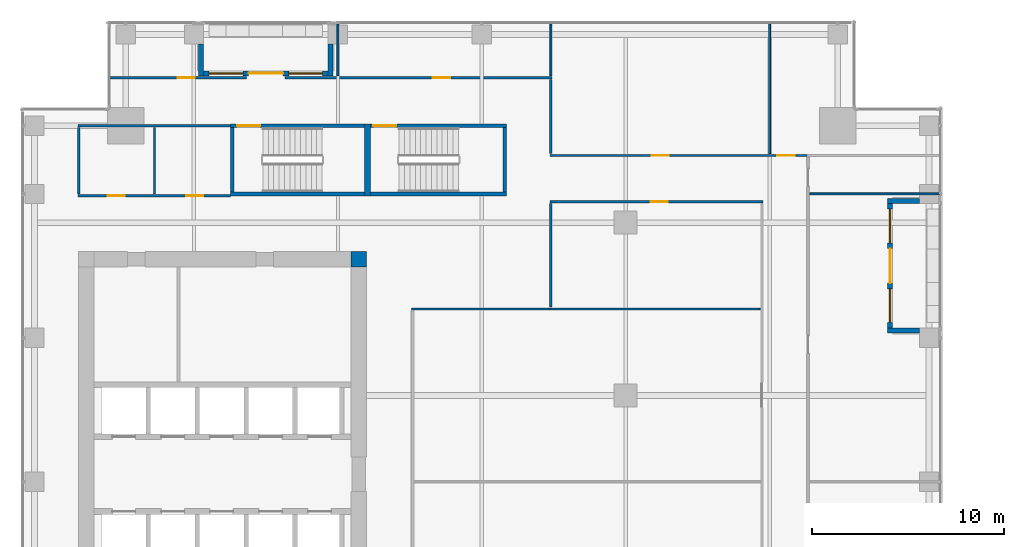
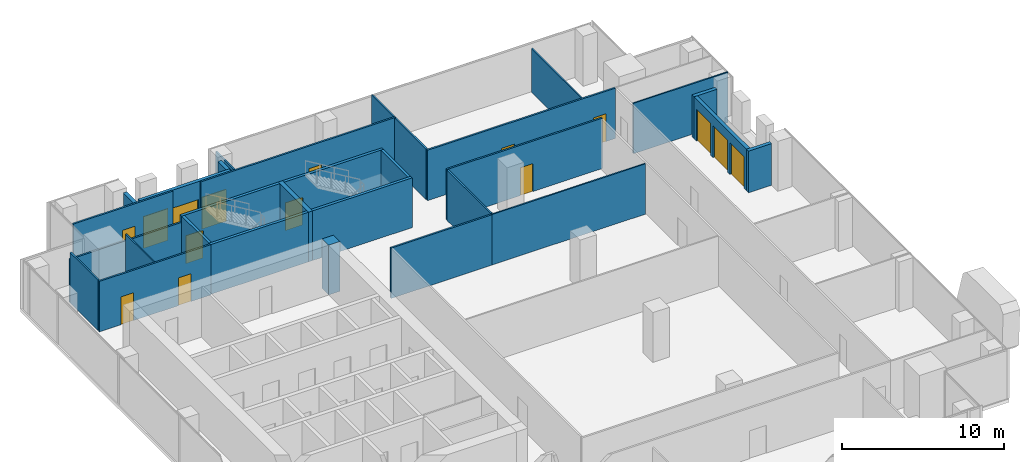
# One storey, part 34 of 38: 30 walls, 11 doors, 4 windows, 15 openings.
"""IFC4 building model written with IfcOpenShell, lengths in metres."""

import ifcopenshell
import ifcopenshell.guid

model = None  # the IFC model being written
_history = None  # IfcOwnerHistory: only IFC2X3 demands one
_inside = {}  # id of a spatial element -> (the spatial element, [elements in it])
_under = {}  # id of a project, library or spatial element -> (it, [spatial elements below it])
_declared = {}  # id of a project -> (the project, [libraries it declares])
_typed = {}  # id of a type object -> (the type object, [elements of that type])
_made_of = {}  # id of a material, layer set ... -> (it, [elements and type objects made of it])


def new_model(schema):
    """Start an empty IFC model of exactly this schema.

    Asked for "IFC4X3", IfcOpenShell would pick the latest addendum, in which some entities
    have other attributes; the version numbers below select the first issue.
    IFC2X3 requires an IfcOwnerHistory on every rooted entity: one is made here for all.
    """
    global model, _history
    if schema == "IFC4X3":
        model = ifcopenshell.file(schema_version=(4, 3, 0, 0))
    else:
        model = ifcopenshell.file(schema=schema)
    _inside.clear()
    _under.clear()
    _declared.clear()
    _typed.clear()
    _made_of.clear()
    _history = None
    if model.schema == "IFC2X3":
        org = make("IfcOrganization", Name="unknown")
        user = make(
            "IfcPersonAndOrganization",
            ThePerson=make("IfcPerson", FamilyName="unknown"),
            TheOrganization=org,
        )
        app = make(
            "IfcApplication",
            ApplicationDeveloper=org,
            Version="unknown",
            ApplicationFullName="unknown",
            ApplicationIdentifier="unknown",
        )
        _history = make(
            "IfcOwnerHistory",
            OwningUser=user,
            OwningApplication=app,
            ChangeAction="ADDED",
            CreationDate=0,
        )
    return model


def make(cls, **values):
    """One entity of the class cls with the attributes given. An attribute that is None is left unset."""
    return model.create_entity(
        cls, **{name: value for name, value in values.items() if value is not None}
    )


def rooted(cls, **values):
    """An entity with a GlobalId (a new one), such as an element, a storey or a relation."""
    return make(cls, GlobalId=ifcopenshell.guid.new(), OwnerHistory=_history, **values)


def si_unit(unit_type, name, prefix=None):
    """IfcSIUnit, for example si_unit("LENGTHUNIT", "METRE", prefix="MILLI")."""
    return make("IfcSIUnit", UnitType=unit_type, Prefix=prefix, Name=name)


def assignment(units):
    """IfcUnitAssignment: the units of a project."""
    return None if units is None else make("IfcUnitAssignment", Units=units)


def point(xyz):
    """IfcCartesianPoint."""
    return None if xyz is None else make("IfcCartesianPoint", Coordinates=xyz)


def direction(xyz):
    """IfcDirection."""
    return None if xyz is None else make("IfcDirection", DirectionRatios=xyz)


def frame(location, z_axis=None, x_axis=None):
    """IfcAxis2Placement3D, a coordinate frame: its origin and axes. An axis left out is left unset."""
    return make(
        "IfcAxis2Placement3D",
        Location=point(location),
        Axis=direction(z_axis),
        RefDirection=direction(x_axis),
    )


def frame_2d(location, x_axis=None):
    """IfcAxis2Placement2D, a coordinate frame in the plane: its origin and x axis."""
    return make(
        "IfcAxis2Placement2D", Location=point(location), RefDirection=direction(x_axis)
    )


def origin():
    """The frame at (0, 0, 0) with its axes left unset."""
    return frame((0.0, 0.0, 0.0))


def place(relative_to, where):
    """IfcLocalPlacement: puts the frame where relative to a parent placement (None: the world)."""
    return make(
        "IfcLocalPlacement", PlacementRelTo=relative_to, RelativePlacement=where
    )


def context(
    kind, dimensions, precision=None, world=None, true_north=None, identifier=None
):
    """IfcGeometricRepresentationContext, for example the 3D "Model" context."""
    return make(
        "IfcGeometricRepresentationContext",
        ContextIdentifier=identifier,
        ContextType=kind,
        CoordinateSpaceDimension=dimensions,
        Precision=precision,
        WorldCoordinateSystem=world,
        TrueNorth=true_north,
    )


def subcontext(parent, identifier, kind, view, scale=None):
    """IfcGeometricRepresentationSubContext, for example "Body" below "Model"."""
    return make(
        "IfcGeometricRepresentationSubContext",
        ContextIdentifier=identifier,
        ContextType=kind,
        ParentContext=parent,
        TargetScale=scale,
        TargetView=view,
    )


def project(units=None, contexts=None):
    """IfcProject with its units and contexts."""
    return rooted(
        "IfcProject",
        Name="project",
        RepresentationContexts=contexts,
        UnitsInContext=assignment(units),
    )


def spatial(cls, under=None, at=None, **own):
    """A site, building, storey or space (cls), placed at a placement, below another one or the project."""
    s = rooted(cls, ObjectPlacement=at, **own)
    if under is not None:
        _under.setdefault(under.id(), (under, []))[1].append(s)
    return s


def profile(cls, at=None, kind="AREA", **sizes):
    """A parametric profile (cls). Its sizes go by their IFC names, for example OverallWidth=200.0."""
    return make(cls, ProfileType=kind, Position=at, **sizes)


def rectangle(**sizes):
    """IfcRectangleProfileDef."""
    return profile("IfcRectangleProfileDef", **sizes)


def extrude(swept, where, along, depth):
    """IfcExtrudedAreaSolid: the profile swept, set in the frame where, extruded along a direction by depth."""
    return make(
        "IfcExtrudedAreaSolid",
        SweptArea=swept,
        Position=where,
        ExtrudedDirection=direction(along),
        Depth=depth,
    )


def shape(context_of_items, identifier, shape_type, items):
    """IfcShapeRepresentation: the items that make up one representation, for example the "Body"."""
    return make(
        "IfcShapeRepresentation",
        ContextOfItems=context_of_items,
        RepresentationIdentifier=identifier,
        RepresentationType=shape_type,
        Items=items,
    )


def source(mapping_origin, context_of_items, identifier, shape_type, items):
    """IfcRepresentationMap: a shape defined once, which mapped items show again and again."""
    return make(
        "IfcRepresentationMap",
        MappingOrigin=mapping_origin,
        MappedRepresentation=shape(context_of_items, identifier, shape_type, items),
    )


def transform(
    local_origin,
    x_axis=None,
    y_axis=None,
    z_axis=None,
    scale=None,
    scale2=None,
    scale3=None,
    uniform=True,
):
    """IfcCartesianTransformationOperator3D, or its non-uniform kind. x_axis, y_axis, z_axis: its Axis1, 2, 3."""
    if uniform:
        return make(
            "IfcCartesianTransformationOperator3D",
            Axis1=direction(x_axis),
            Axis2=direction(y_axis),
            LocalOrigin=point(local_origin),
            Scale=scale,
            Axis3=direction(z_axis),
        )
    return make(
        "IfcCartesianTransformationOperator3DnonUniform",
        Axis1=direction(x_axis),
        Axis2=direction(y_axis),
        LocalOrigin=point(local_origin),
        Scale=scale,
        Axis3=direction(z_axis),
        Scale2=scale2,
        Scale3=scale3,
    )


def mapped(mapping_source, mapping_target):
    """IfcMappedItem: shows the shape of a source again, moved by a transform."""
    return make(
        "IfcMappedItem", MappingSource=mapping_source, MappingTarget=mapping_target
    )


def material(Name=None, Category=None):
    """IfcMaterial."""
    return make("IfcMaterial", Name=Name, Category=Category)


def layer(
    of_material, thickness, ventilated=None, Name=None, Category=None, Priority=None
):
    """IfcMaterialLayer: one layer of a wall or slab, of a material (None: an air gap)."""
    return make(
        "IfcMaterialLayer",
        Material=of_material,
        LayerThickness=thickness,
        IsVentilated=ventilated,
        Name=Name,
        Category=Category,
        Priority=Priority,
    )


def layer_set(layers, Name=None):
    """IfcMaterialLayerSet."""
    return make("IfcMaterialLayerSet", MaterialLayers=layers, LayerSetName=Name)


def made_of(thing, what):
    """Note that an element or type object is made of a material, layer set ...; save() writes the relation."""
    if what is not None:
        _made_of.setdefault(what.id(), (what, []))[1].append(thing)
    return thing


def type_object(cls, material=None, **own):
    """A type object (cls), such as IfcWallType, which elements share."""
    return made_of(rooted(cls, **own), material)


def element(
    cls,
    number,
    at=None,
    inside=None,
    cuts=None,
    type_object=None,
    material=None,
    context=None,
    identifier="Body",
    shape_type=None,
    held_by="IfcProductDefinitionShape",
    body=None,
    shapes=None,
    **own,
):
    """One element of the class cls, such as IfcWall. Its Tag is "e" and its number.

    at: its placement. inside: the storey or other place that contains it. cuts: it is an
    opening in that element (IfcRelVoidsElement). A single representation is given by context,
    identifier, shape_type and body (its items); several are given by shapes. held_by: the class
    of the entity that holds the representations. save() writes the other relations.
    """
    e = rooted(cls, Tag="e%d" % number, ObjectPlacement=at, **own)
    if body is not None:
        shapes = [shape(context, identifier, shape_type, body)]
    if shapes is not None:
        e.Representation = make(held_by, Representations=shapes)
    if inside is not None:
        _inside.setdefault(inside.id(), (inside, []))[1].append(e)
    if cuts is not None:
        rooted(
            "IfcRelVoidsElement", RelatingBuildingElement=cuts, RelatedOpeningElement=e
        )
    if type_object is not None:
        _typed.setdefault(type_object.id(), (type_object, []))[1].append(e)
    return made_of(e, material)


def fill(opening, filler):
    """IfcRelFillsElement: the door or window that sits in an opening."""
    return rooted(
        "IfcRelFillsElement",
        RelatingOpeningElement=opening,
        RelatedBuildingElement=filler,
    )


def aggregate(whole, parts):
    """IfcRelAggregates: a whole, such as a stair, and the parts it consists of."""
    return rooted("IfcRelAggregates", RelatingObject=whole, RelatedObjects=parts)


def save(model, path):
    """Write the relations noted so far, then the file.

    IfcRelAggregates (storeys below a building ...), IfcRelContainedInSpatialStructure (elements
    in a storey), IfcRelDefinesByType, IfcRelAssociatesMaterial and IfcRelDeclares: one each for
    every whole, place, type object, material and project.
    """
    for whole, parts in _under.values():
        aggregate(whole, parts)
    for where, things in _inside.values():
        rooted(
            "IfcRelContainedInSpatialStructure",
            RelatedElements=things,
            RelatingStructure=where,
        )
    for kind, things in _typed.values():
        rooted("IfcRelDefinesByType", RelatedObjects=things, RelatingType=kind)
    for what, things in _made_of.values():
        rooted("IfcRelAssociatesMaterial", RelatedObjects=things, RelatingMaterial=what)
    for by, libraries in _declared.values():
        rooted("IfcRelDeclares", RelatingContext=by, RelatedDefinitions=libraries)
    model.write(path)


model = new_model("IFC4")

# Units and contexts
model_context = context("Model", 3, precision=1e-05, world=origin(), true_north=direction((0.0, 1.0)))
body_context = subcontext(model_context, "Body", "Model", "MODEL_VIEW")
ifc_project = project(units=[si_unit("LENGTHUNIT", "METRE"), si_unit("AREAUNIT", "SQUARE_METRE"), si_unit("VOLUMEUNIT", "CUBIC_METRE"), si_unit("PLANEANGLEUNIT", "RADIAN"), si_unit("MASSUNIT", "GRAM", prefix="KILO")], contexts=[model_context])

# Site, building, storey
site_placement = place(None, origin())
site = spatial("IfcSite", under=ifc_project, at=site_placement, CompositionType="ELEMENT")
building_placement = place(site_placement, origin())
building = spatial("IfcBuilding", under=site, at=building_placement, Name="Khomas Fold Tower", CompositionType="ELEMENT")
storey_placement = place(building_placement, frame((0.0, 0.0, 196.699951171875)))
storey = spatial("IfcBuildingStorey", under=building, at=storey_placement, Name="L43", CompositionType="ELEMENT", Elevation=196.699951171875)

# Wall
ifc_material_1 = material(Name="Concrete C60/75", Category="concrete")
ifc_layer_1 = layer(ifc_material_1, 0.800048828125)
ifc_layer_set_1 = layer_set([ifc_layer_1], Name="Concrete C60/75")
wall_type_1 = type_object("IfcWallType", Name="Core corner wall 800", PredefinedType="SHEAR", material=ifc_layer_set_1)
shared_shape_1 = source(origin(), body_context, "Body", "SweptSolid", [
    extrude(rectangle(XDim=0.800048828125, YDim=0.800048828125, at=frame_2d((0.39990234375, 0.0))), origin(), (0.0, 0.0, 1.0), 3.75),
])
wall_1_placement = place(storey_placement, frame((20.199951171875, 38.60009765625, 0.0), z_axis=(0.0, 0.0, 1.0), x_axis=(1.0, 0.0, 0.0)))
element("IfcWall", 1, at=wall_1_placement, inside=storey, type_object=wall_type_1, Name="Core wall CW-U-NE-L35", PredefinedType="SHEAR", context=body_context, shape_type="MappedRepresentation", body=[
    mapped(shared_shape_1, transform((0.0, 0.0, 0.0))),
])

# Wall, opening, door
ifc_material_2 = material(Name="Concrete C50/60", Category="concrete")
ifc_layer_2 = layer(ifc_material_2, 0.199951171875)
ifc_layer_set_2 = layer_set([ifc_layer_2], Name="Concrete C50/60")
wall_type_2 = type_object("IfcWallType", Name="Stair wall 200", PredefinedType="SHEAR", material=ifc_layer_set_2)
shared_shape_2 = source(origin(), body_context, "Body", "SweptSolid", [
    extrude(rectangle(XDim=7.0, YDim=0.199951171875, at=frame_2d((3.5, 0.0))), origin(), (0.0, 0.0, 1.0), 3.75),
])
wall_2_placement = place(storey_placement, frame((13.89990234375, 45.550048828125, 0.0), z_axis=(0.0, 0.0, 1.0), x_axis=(1.0, 0.0, 0.0)))
wall_2 = element("IfcWall", 2, at=wall_2_placement, inside=storey, type_object=wall_type_2, Name="Stair wall SW-ST1-N", PredefinedType="SHEAR", context=body_context, shape_type="MappedRepresentation", body=[
    mapped(shared_shape_2, transform((0.0, 0.0, 0.0))),
])
shared_shape_3 = source(origin(), body_context, "Body", "SweptSolid", [
    extrude(rectangle(XDim=1.199951171875, YDim=2.10009765625, at=frame_2d((0.60009765625, 1.050048828125))), frame((0.0, 0.10986328125, 0.0), z_axis=(0.0, -1.0, 0.0), x_axis=(1.0, 0.0, 0.0)), (0.0, 0.0, 1.0), 0.219970703125),
])
opening_1_placement = place(wall_2_placement, frame((0.35009765625, 0.0, 0.0)))
opening_1 = element("IfcOpeningElement", 3, at=opening_1_placement, cuts=wall_2, Name="Opening SD-ST1", PredefinedType="OPENING", context=body_context, shape_type="MappedRepresentation", body=[
    mapped(shared_shape_3, transform((0.0, 0.0, 0.0))),
])
ifc_material_3 = material(Name="Steel door leaf", Category="steel")
door_type_1 = type_object("IfcDoorType", Name="Stair door 1200x2100 left-hand", OperationType="SINGLE_SWING_LEFT", PredefinedType="DOOR", material=ifc_material_3)
shared_shape_4 = source(origin(), body_context, "Body", "SweptSolid", [
    extrude(rectangle(XDim=1.199951171875, YDim=2.10009765625, at=frame_2d((0.60009765625, 1.050048828125))), frame((0.0, 0.02490234375, 0.0), z_axis=(0.0, -1.0, 0.0), x_axis=(1.0, 0.0, 0.0)), (0.0, 0.0, 1.0), 0.050048828125),
])
door_1_placement = place(opening_1_placement, origin())
door_1 = element("IfcDoor", 4, at=door_1_placement, inside=storey, type_object=door_type_1, Name="Stair door", OperationType="SINGLE_SWING_LEFT", OverallHeight=2.10009765625, OverallWidth=1.199951171875, PredefinedType="DOOR", context=body_context, shape_type="MappedRepresentation", body=[
    mapped(shared_shape_4, transform((0.0, 0.0, 0.0))),
])
fill(opening_1, door_1)

# Wall
wall_3_placement = place(storey_placement, frame((13.89990234375, 42.0, 0.0), z_axis=(0.0, 0.0, 1.0), x_axis=(1.0, 0.0, 0.0)))
element("IfcWall", 5, at=wall_3_placement, inside=storey, type_object=wall_type_2, Name="Stair wall SW-ST1-S", PredefinedType="SHEAR", context=body_context, shape_type="MappedRepresentation", body=[
    mapped(shared_shape_2, transform((0.0, 0.0, 0.0))),
])

# Wall, opening, door
shared_shape_5 = source(origin(), body_context, "Body", "SweptSolid", [
    extrude(rectangle(XDim=7.10009765625, YDim=0.199951171875, at=frame_2d((3.550048828125, 0.0))), origin(), (0.0, 0.0, 1.0), 3.75),
])
wall_4_placement = place(storey_placement, frame((21.199951171875, 45.550048828125, 0.0), z_axis=(0.0, 0.0, 1.0), x_axis=(1.0, 0.0, 0.0)))
wall_4 = element("IfcWall", 6, at=wall_4_placement, inside=storey, type_object=wall_type_2, Name="Stair wall SW-ST3-N", PredefinedType="SHEAR", context=body_context, shape_type="MappedRepresentation", body=[
    mapped(shared_shape_5, transform((0.0, 0.0, 0.0))),
])
opening_2_placement = place(wall_4_placement, frame((0.14990234375, 0.0, 0.0)))
opening_2 = element("IfcOpeningElement", 7, at=opening_2_placement, cuts=wall_4, Name="Opening SD-ST3", PredefinedType="OPENING", context=body_context, shape_type="MappedRepresentation", body=[
    mapped(shared_shape_3, transform((0.0, 0.0, 0.0))),
])
door_2_placement = place(opening_2_placement, origin())
door_2 = element("IfcDoor", 8, at=door_2_placement, inside=storey, type_object=door_type_1, Name="Stair door", OperationType="SINGLE_SWING_LEFT", OverallHeight=2.10009765625, OverallWidth=1.199951171875, PredefinedType="DOOR", context=body_context, shape_type="MappedRepresentation", body=[
    mapped(shared_shape_4, transform((0.0, 0.0, 0.0))),
])
fill(opening_2, door_2)

# Walls
wall_5_placement = place(storey_placement, frame((21.199951171875, 42.0, 0.0), z_axis=(0.0, 0.0, 1.0), x_axis=(1.0, 0.0, 0.0)))
element("IfcWall", 9, at=wall_5_placement, inside=storey, type_object=wall_type_2, Name="Stair wall SW-ST3-S", PredefinedType="SHEAR", context=body_context, shape_type="MappedRepresentation", body=[
    mapped(shared_shape_5, transform((0.0, 0.0, 0.0))),
])
ifc_material_4 = material(Name="Concrete C50/60", Category="concrete")
ifc_layer_3 = layer(ifc_material_4, 0.300048828125)
ifc_layer_set_3 = layer_set([ifc_layer_3], Name="Concrete C50/60")
wall_type_3 = type_object("IfcWallType", Name="Stair wall 300", PredefinedType="SHEAR", material=ifc_layer_set_3)
shared_shape_6 = source(origin(), body_context, "Body", "SweptSolid", [
    extrude(rectangle(XDim=3.75, YDim=0.300048828125, at=frame_2d((1.875, 0.0))), origin(), (0.0, 0.0, 1.0), 3.75),
])
wall_6_placement = place(storey_placement, frame((21.050048828125, 41.89990234375, 0.0), z_axis=(0.0, 0.0, 1.0), x_axis=(0.0, 1.0, 0.0)))
element("IfcWall", 10, at=wall_6_placement, inside=storey, type_object=wall_type_3, Name="Stair wall SW-ST1-E", PredefinedType="SHEAR", context=body_context, shape_type="MappedRepresentation", body=[
    mapped(shared_shape_6, transform((0.0, 0.0, 0.0))),
])
shared_shape_7 = source(origin(), body_context, "Body", "SweptSolid", [
    extrude(rectangle(XDim=3.349853515625, YDim=0.199951171875, at=frame_2d((1.6748046875, 0.0))), origin(), (0.0, 0.0, 1.0), 3.75),
])
for number, where, z_axis, x_axis, name in (
    (11, (14.0, 42.10009765625, 0.0), (0.0, 0.0, 1.0), (0.0, 1.0, 0.0), "Stair wall SW-ST1-W"),
    (12, (28.199951171875, 42.10009765625, 0.0), (0.0, 0.0, 1.0), (0.0, 1.0, 0.0), "Stair wall SW-ST3-E"),
):
    element("IfcWall", number, at=place(storey_placement, frame(where, z_axis=z_axis, x_axis=x_axis)), inside=storey, type_object=wall_type_2, Name=name, PredefinedType="SHEAR", context=body_context, shape_type="MappedRepresentation", body=[
        mapped(shared_shape_7, transform((0.0, 0.0, 0.0))),
    ])

# Wall, openings, door, windows
ifc_material_5 = material(Name="Natural stone", Category="masonry")
ifc_layer_4 = layer(ifc_material_5, 0.0400390625)
ifc_material_6 = material(Name="Mineral wool insulation", Category="insulation")
ifc_layer_5 = layer(ifc_material_6, 0.10009765625)
ifc_material_7 = material(Name="Masonry", Category="masonry")
ifc_layer_6 = layer(ifc_material_7, 0.110107421875)
ifc_layer_set_4 = layer_set([ifc_layer_4, ifc_layer_5, ifc_layer_6], Name="Stone-faced insulated masonry")
wall_type_4 = type_object("IfcWallType", Name="BL-Balcony wall", PredefinedType="SOLIDWALL", material=ifc_layer_set_4)
shared_shape_8 = source(origin(), body_context, "Body", "SweptSolid", [
    extrude(rectangle(XDim=6.5, YDim=0.25, at=frame_2d((3.25, 0.0))), origin(), (0.0, 0.0, 1.0), 3.75),
])
wall_7_placement = place(storey_placement, frame((12.5, 48.27490234375, 0.0), z_axis=(0.0, 0.0, 1.0), x_axis=(1.0, 0.0, 0.0)))
wall_7 = element("IfcWall", 13, at=wall_7_placement, inside=storey, type_object=wall_type_4, Name="Balcony wall BAL-L43-N1", PredefinedType="SOLIDWALL", context=body_context, shape_type="MappedRepresentation", body=[
    mapped(shared_shape_8, transform((0.0, 0.0, 0.0))),
])
shared_shape_9 = source(origin(), body_context, "Body", "SweptSolid", [
    extrude(rectangle(XDim=1.75, YDim=2.39990234375, at=frame_2d((0.875, 1.199951171875))), frame((0.0, 0.135009765625, 0.0), z_axis=(0.0, -1.0, 0.0), x_axis=(1.0, 0.0, 0.0)), (0.0, 0.0, 1.0), 0.27001953125),
])
opening_3_placement = place(wall_7_placement, frame((0.300048828125, 0.0, 0.0)))
opening_3 = element("IfcOpeningElement", 14, at=opening_3_placement, cuts=wall_7, Name="Opening BL-W3", PredefinedType="OPENING", context=body_context, shape_type="MappedRepresentation", body=[
    mapped(shared_shape_9, transform((0.0, 0.0, 0.0))),
])
opening_4_placement = place(wall_7_placement, frame((4.449951171875, 0.0, 0.0)))
opening_4 = element("IfcOpeningElement", 15, at=opening_4_placement, cuts=wall_7, Name="Opening BL-W3", PredefinedType="OPENING", context=body_context, shape_type="MappedRepresentation", body=[
    mapped(shared_shape_9, transform((0.0, 0.0, 0.0))),
])
shared_shape_10 = source(origin(), body_context, "Body", "SweptSolid", [
    extrude(rectangle(XDim=1.800048828125, YDim=2.39990234375, at=frame_2d((0.89990234375, 1.199951171875))), frame((0.0, 0.135009765625, 0.0), z_axis=(0.0, -1.0, 0.0), x_axis=(1.0, 0.0, 0.0)), (0.0, 0.0, 1.0), 0.27001953125),
])
opening_5_placement = place(wall_7_placement, frame((2.35009765625, 0.0, 0.0)))
opening_5 = element("IfcOpeningElement", 16, at=opening_5_placement, cuts=wall_7, Name="Opening BD432", PredefinedType="OPENING", context=body_context, shape_type="MappedRepresentation", body=[
    mapped(shared_shape_10, transform((0.0, 0.0, 0.0))),
])
ifc_material_8 = material(Name="Aluminium framed double glazing", Category="aluminium")
door_type_2 = type_object("IfcDoorType", Name="BL-Glazed balcony door 1800 x 2400", OperationType="DOUBLE_DOOR_DOUBLE_SWING", PredefinedType="DOOR", material=ifc_material_8)
shared_shape_11 = source(origin(), body_context, "Body", "SweptSolid", [
    extrude(rectangle(XDim=1.800048828125, YDim=2.39990234375, at=frame_2d((0.89990234375, 1.199951171875))), frame((0.0, 0.02490234375, 0.0), z_axis=(0.0, -1.0, 0.0), x_axis=(1.0, 0.0, 0.0)), (0.0, 0.0, 1.0), 0.050048828125),
])
door_3_placement = place(opening_5_placement, origin())
door_3 = element("IfcDoor", 17, at=door_3_placement, inside=storey, type_object=door_type_2, Name="Balcony door BD432", OperationType="DOUBLE_DOOR_DOUBLE_SWING", OverallHeight=2.39990234375, OverallWidth=1.800048828125, PredefinedType="DOOR", context=body_context, shape_type="MappedRepresentation", body=[
    mapped(shared_shape_11, transform((0.0, 0.0, 0.0))),
])
fill(opening_5, door_3)
ifc_material_9 = material(Name="Aluminium framed double glazing", Category="aluminium")
window_type = type_object("IfcWindowType", Name="BL-Fixed glazing 1750 x 2400", PartitioningType="SINGLE_PANEL", PredefinedType="WINDOW", material=ifc_material_9)
shared_shape_12 = source(origin(), body_context, "Body", "SweptSolid", [
    extrude(rectangle(XDim=1.75, YDim=2.39990234375, at=frame_2d((0.875, 1.199951171875))), frame((0.0, 0.030029296875, 0.0), z_axis=(0.0, -1.0, 0.0), x_axis=(1.0, 0.0, 0.0)), (0.0, 0.0, 1.0), 0.06005859375),
])
window_1_placement = place(opening_3_placement, origin())
window_1 = element("IfcWindow", 18, at=window_1_placement, inside=storey, type_object=window_type, Name="Balcony glazing BAL-L43-N1-1", OverallHeight=2.39990234375, OverallWidth=1.75, PartitioningType="SINGLE_PANEL", PredefinedType="WINDOW", context=body_context, shape_type="MappedRepresentation", body=[
    mapped(shared_shape_12, transform((0.0, 0.0, 0.0))),
])
fill(opening_3, window_1)
window_2_placement = place(opening_4_placement, origin())
window_2 = element("IfcWindow", 19, at=window_2_placement, inside=storey, type_object=window_type, Name="Balcony glazing BAL-L43-N1-2", OverallHeight=2.39990234375, OverallWidth=1.75, PartitioningType="SINGLE_PANEL", PredefinedType="WINDOW", context=body_context, shape_type="MappedRepresentation", body=[
    mapped(shared_shape_12, transform((0.0, 0.0, 0.0))),
])
fill(opening_4, window_2)

# Walls
shared_shape_13 = source(origin(), body_context, "Body", "SweptSolid", [
    extrude(rectangle(XDim=1.650146484375, YDim=0.25, at=frame_2d((0.8251953125, 0.0))), origin(), (0.0, 0.0, 1.0), 3.449951171875),
])
for number, where, z_axis, x_axis, name in (
    (20, (12.375, 49.800048828125, 0.0), (0.0, 0.0, 1.0), (0.0, -1.0, 0.0), "Balcony return wall BAL-L43-N1-lo"),
    (21, (19.125, 49.800048828125, 0.0), (0.0, 0.0, 1.0), (0.0, -1.0, 0.0), "Balcony return wall BAL-L43-N1-hi"),
):
    element("IfcWall", number, at=place(storey_placement, frame(where, z_axis=z_axis, x_axis=x_axis)), inside=storey, type_object=wall_type_4, Name=name, PredefinedType="SOLIDWALL", context=body_context, shape_type="MappedRepresentation", body=[
        mapped(shared_shape_13, transform((0.0, 0.0, 0.0))),
    ])

# Wall, openings, door, windows
shared_shape_14 = source(origin(), body_context, "Body", "SweptSolid", [
    extrude(rectangle(XDim=6.5, YDim=0.25, at=frame_2d((3.25, 0.0))), origin(), (0.0, 0.0, 1.0), 3.150146484375),
])
wall_8_placement = place(storey_placement, frame((48.27490234375, 35.0, 0.0), z_axis=(0.0, 0.0, 1.0), x_axis=(0.0, 1.0, 0.0)))
wall_8 = element("IfcWall", 22, at=wall_8_placement, inside=storey, type_object=wall_type_4, Name="Balcony wall BAL-L43-E4", PredefinedType="SOLIDWALL", context=body_context, shape_type="MappedRepresentation", body=[
    mapped(shared_shape_14, transform((0.0, 0.0, 0.0))),
])
opening_6_placement = place(wall_8_placement, frame((0.300048828125, 0.0, 0.0)))
opening_6 = element("IfcOpeningElement", 23, at=opening_6_placement, cuts=wall_8, Name="Opening BL-W3", PredefinedType="OPENING", context=body_context, shape_type="MappedRepresentation", body=[
    mapped(shared_shape_9, transform((0.0, 0.0, 0.0))),
])
opening_7_placement = place(wall_8_placement, frame((4.449951171875, 0.0, 0.0)))
opening_7 = element("IfcOpeningElement", 24, at=opening_7_placement, cuts=wall_8, Name="Opening BL-W3", PredefinedType="OPENING", context=body_context, shape_type="MappedRepresentation", body=[
    mapped(shared_shape_9, transform((0.0, 0.0, 0.0))),
])
opening_8_placement = place(wall_8_placement, frame((2.35009765625, 0.0, 0.0)))
opening_8 = element("IfcOpeningElement", 25, at=opening_8_placement, cuts=wall_8, Name="Opening BD431", PredefinedType="OPENING", context=body_context, shape_type="MappedRepresentation", body=[
    mapped(shared_shape_10, transform((0.0, 0.0, 0.0))),
])
door_4_placement = place(opening_8_placement, origin())
door_4 = element("IfcDoor", 26, at=door_4_placement, inside=storey, type_object=door_type_2, Name="Balcony door BD431", OperationType="DOUBLE_DOOR_DOUBLE_SWING", OverallHeight=2.39990234375, OverallWidth=1.800048828125, PredefinedType="DOOR", context=body_context, shape_type="MappedRepresentation", body=[
    mapped(shared_shape_11, transform((0.0, 0.0, 0.0))),
])
fill(opening_8, door_4)
window_3_placement = place(opening_6_placement, origin())
window_3 = element("IfcWindow", 27, at=window_3_placement, inside=storey, type_object=window_type, Name="Balcony glazing BAL-L43-E4-1", OverallHeight=2.39990234375, OverallWidth=1.75, PartitioningType="SINGLE_PANEL", PredefinedType="WINDOW", context=body_context, shape_type="MappedRepresentation", body=[
    mapped(shared_shape_12, transform((0.0, 0.0, 0.0))),
])
fill(opening_6, window_3)
window_4_placement = place(opening_7_placement, origin())
window_4 = element("IfcWindow", 28, at=window_4_placement, inside=storey, type_object=window_type, Name="Balcony glazing BAL-L43-E4-2", OverallHeight=2.39990234375, OverallWidth=1.75, PartitioningType="SINGLE_PANEL", PredefinedType="WINDOW", context=body_context, shape_type="MappedRepresentation", body=[
    mapped(shared_shape_12, transform((0.0, 0.0, 0.0))),
])
fill(opening_7, window_4)

# Walls
shared_shape_15 = source(origin(), body_context, "Body", "SweptSolid", [
    extrude(rectangle(XDim=1.650146484375, YDim=0.25, at=frame_2d((0.8251953125, 0.0))), origin(), (0.0, 0.0, 1.0), 3.150146484375),
])
for number, where, z_axis, x_axis, name in (
    (29, (49.800048828125, 34.875, 0.0), (0.0, 0.0, 1.0), (-1.0, 0.0, 0.0), "Balcony return wall BAL-L43-E4-lo"),
    (30, (49.800048828125, 41.625, 0.0), (0.0, 0.0, 1.0), (-1.0, 0.0, 0.0), "Balcony return wall BAL-L43-E4-hi"),
):
    element("IfcWall", number, at=place(storey_placement, frame(where, z_axis=z_axis, x_axis=x_axis)), inside=storey, type_object=wall_type_4, Name=name, PredefinedType="SOLIDWALL", context=body_context, shape_type="MappedRepresentation", body=[
        mapped(shared_shape_15, transform((0.0, 0.0, 0.0))),
    ])
ifc_material_10 = material(Name="Plasterboard partition")
ifc_layer_7 = layer(ifc_material_10, 0.125)
ifc_layer_set_5 = layer_set([ifc_layer_7], Name="Plasterboard partition")
wall_type_5 = type_object("IfcWallType", Name="Partition PW2 125", PredefinedType="PARTITIONING", material=ifc_layer_set_5)
shared_shape_16 = source(origin(), body_context, "Body", "SweptSolid", [
    extrude(rectangle(XDim=7.949951171875, YDim=0.125, at=frame_2d((3.97509765625, 0.0))), origin(), (0.0, 0.0, 1.0), 3.25),
])
wall_9_placement = place(storey_placement, frame((5.949951171875, 45.550048828125, 0.0), z_axis=(0.0, 0.0, 1.0), x_axis=(1.0, 0.0, 0.0)))
element("IfcWall", 31, at=wall_9_placement, inside=storey, type_object=wall_type_5, Name="Partition", PredefinedType="PARTITIONING", context=body_context, shape_type="MappedRepresentation", body=[
    mapped(shared_shape_16, transform((0.0, 0.0, 0.0))),
])

# Wall, openings, doors
shared_shape_17 = source(origin(), body_context, "Body", "SweptSolid", [
    extrude(rectangle(XDim=7.949951171875, YDim=0.125, at=frame_2d((3.97509765625, 0.0))), origin(), (0.0, 0.0, 1.0), 3.800048828125),
])
wall_10_placement = place(storey_placement, frame((5.949951171875, 41.89990234375, 0.0), z_axis=(0.0, 0.0, 1.0), x_axis=(1.0, 0.0, 0.0)))
wall_10 = element("IfcWall", 32, at=wall_10_placement, inside=storey, type_object=wall_type_5, Name="Partition", PredefinedType="PARTITIONING", context=body_context, shape_type="MappedRepresentation", body=[
    mapped(shared_shape_17, transform((0.0, 0.0, 0.0))),
])
shared_shape_18 = source(origin(), body_context, "Body", "SweptSolid", [
    extrude(rectangle(XDim=0.89990234375, YDim=2.10009765625, at=frame_2d((0.449951171875, 1.050048828125))), frame((0.0, 0.072509765625, 0.0), z_axis=(0.0, -1.0, 0.0), x_axis=(1.0, 0.0, 0.0)), (0.0, 0.0, 1.0), 0.14501953125),
])
opening_9_placement = place(wall_10_placement, frame((1.550048828125, 0.0, 0.0)))
opening_9 = element("IfcOpeningElement", 33, at=opening_9_placement, cuts=wall_10, Name="Opening 0004", PredefinedType="OPENING", context=body_context, shape_type="MappedRepresentation", body=[
    mapped(shared_shape_18, transform((0.0, 0.0, 0.0))),
])
opening_10_placement = place(wall_10_placement, frame((5.64990234375, 0.0, 0.0)))
opening_10 = element("IfcOpeningElement", 34, at=opening_10_placement, cuts=wall_10, Name="Opening 0005", PredefinedType="OPENING", context=body_context, shape_type="MappedRepresentation", body=[
    mapped(shared_shape_18, transform((0.0, 0.0, 0.0))),
])
ifc_material_11 = material(Name="Timber door leaf", Category="wood")
door_type_3 = type_object("IfcDoorType", Name="WC door 900x2100 right-hand", OperationType="SINGLE_SWING_RIGHT", PredefinedType="DOOR", material=ifc_material_11)
shared_shape_19 = source(origin(), body_context, "Body", "SweptSolid", [
    extrude(rectangle(XDim=0.89990234375, YDim=2.10009765625, at=frame_2d((0.449951171875, 1.050048828125))), frame((0.0, 0.02490234375, 0.0), z_axis=(0.0, -1.0, 0.0), x_axis=(1.0, 0.0, 0.0)), (0.0, 0.0, 1.0), 0.050048828125),
])
door_5_placement = place(opening_9_placement, origin())
door_5 = element("IfcDoor", 35, at=door_5_placement, inside=storey, type_object=door_type_3, Name="WC door", OperationType="SINGLE_SWING_RIGHT", OverallHeight=2.10009765625, OverallWidth=0.89990234375, PredefinedType="DOOR", context=body_context, shape_type="MappedRepresentation", body=[
    mapped(shared_shape_19, transform((0.0, 0.0, 0.0))),
])
fill(opening_9, door_5)
ifc_material_12 = material(Name="Timber door leaf", Category="wood")
door_type_4 = type_object("IfcDoorType", Name="WC door 900x2100 left-hand", OperationType="SINGLE_SWING_LEFT", PredefinedType="DOOR", material=ifc_material_12)
door_6_placement = place(opening_10_placement, origin())
door_6 = element("IfcDoor", 36, at=door_6_placement, inside=storey, type_object=door_type_4, Name="WC door", OperationType="SINGLE_SWING_LEFT", OverallHeight=2.10009765625, OverallWidth=0.89990234375, PredefinedType="DOOR", context=body_context, shape_type="MappedRepresentation", body=[
    mapped(shared_shape_19, transform((0.0, 0.0, 0.0))),
])
fill(opening_10, door_6)

# Walls
shared_shape_20 = source(origin(), body_context, "Body", "SweptSolid", [
    extrude(rectangle(XDim=3.449951171875, YDim=0.125, at=frame_2d((1.72509765625, 0.0))), origin(), (0.0, 0.0, 1.0), 3.800048828125),
])
wall_11_placement = place(storey_placement, frame((6.0, 42.0, 0.0), z_axis=(0.0, 0.0, 1.0), x_axis=(0.0, 1.0, 0.0)))
element("IfcWall", 37, at=wall_11_placement, inside=storey, type_object=wall_type_5, Name="Partition", PredefinedType="PARTITIONING", context=body_context, shape_type="MappedRepresentation", body=[
    mapped(shared_shape_20, transform((0.0, 0.0, 0.0))),
])
ifc_material_13 = material(Name="Plasterboard partition")
ifc_layer_8 = layer(ifc_material_13, 0.10009765625)
ifc_layer_set_6 = layer_set([ifc_layer_8], Name="Plasterboard partition")
wall_type_6 = type_object("IfcWallType", Name="Partition PW1 100", PredefinedType="PARTITIONING", material=ifc_layer_set_6)
shared_shape_21 = source(origin(), body_context, "Body", "SweptSolid", [
    extrude(rectangle(XDim=3.449951171875, YDim=0.10009765625, at=frame_2d((1.72509765625, 0.0))), origin(), (0.0, 0.0, 1.0), 3.800048828125),
])
wall_12_placement = place(storey_placement, frame((9.949951171875, 42.0, 0.0), z_axis=(0.0, 0.0, 1.0), x_axis=(0.0, 1.0, 0.0)))
element("IfcWall", 38, at=wall_12_placement, inside=storey, type_object=wall_type_6, Name="Partition", PredefinedType="PARTITIONING", context=body_context, shape_type="MappedRepresentation", body=[
    mapped(shared_shape_21, transform((0.0, 0.0, 0.0))),
])
shared_shape_22 = source(origin(), body_context, "Body", "SweptSolid", [
    extrude(rectangle(XDim=2.7001953125, YDim=0.10009765625, at=frame_2d((1.35009765625, 0.0))), origin(), (0.0, 0.0, 1.0), 3.420166015625),
])
wall_13_placement = place(storey_placement, frame((19.5, 48.14990234375, 0.0), z_axis=(0.0, 0.0, 1.0), x_axis=(0.0, 1.0, 0.0)))
element("IfcWall", 39, at=wall_13_placement, inside=storey, type_object=wall_type_6, Name="Partition", PredefinedType="PARTITIONING", context=body_context, shape_type="MappedRepresentation", body=[
    mapped(shared_shape_22, transform((0.0, 0.0, 0.0))),
])
shared_shape_23 = source(origin(), body_context, "Body", "SweptSolid", [
    extrude(rectangle(XDim=6.75, YDim=0.10009765625, at=frame_2d((3.375, 0.0))), origin(), (0.0, 0.0, 1.0), 3.800048828125),
])
wall_14_placement = place(storey_placement, frame((44.10009765625, 42.0, 0.0), z_axis=(0.0, 0.0, 1.0), x_axis=(1.0, 0.0, 0.0)))
element("IfcWall", 40, at=wall_14_placement, inside=storey, type_object=wall_type_6, Name="Partition", PredefinedType="PARTITIONING", context=body_context, shape_type="MappedRepresentation", body=[
    mapped(shared_shape_23, transform((0.0, 0.0, 0.0))),
])
shared_shape_24 = source(origin(), body_context, "Body", "SweptSolid", [
    extrude(rectangle(XDim=2.7001953125, YDim=0.10009765625, at=frame_2d((1.35009765625, 0.0))), origin(), (0.0, 0.0, 1.0), 3.800048828125),
])
wall_15_placement = place(storey_placement, frame((30.60009765625, 48.14990234375, 0.0), z_axis=(0.0, 0.0, 1.0), x_axis=(0.0, 1.0, 0.0)))
element("IfcWall", 41, at=wall_15_placement, inside=storey, type_object=wall_type_6, Name="Partition", PredefinedType="PARTITIONING", context=body_context, shape_type="MappedRepresentation", body=[
    mapped(shared_shape_24, transform((0.0, 0.0, 0.0))),
])

# Wall, opening, door
shared_shape_25 = source(origin(), body_context, "Body", "SweptSolid", [
    extrude(rectangle(XDim=7.10009765625, YDim=0.125, at=frame_2d((3.550048828125, 0.0))), origin(), (0.0, 0.0, 1.0), 3.800048828125),
])
wall_16_placement = place(storey_placement, frame((7.64990234375, 48.050048828125, 0.0), z_axis=(0.0, 0.0, 1.0), x_axis=(1.0, 0.0, 0.0)))
wall_16 = element("IfcWall", 42, at=wall_16_placement, inside=storey, type_object=wall_type_5, Name="Partition", PredefinedType="PARTITIONING", context=body_context, shape_type="MappedRepresentation", body=[
    mapped(shared_shape_25, transform((0.0, 0.0, 0.0))),
])
opening_11_placement = place(wall_16_placement, frame((3.5, 0.0, 0.0)))
opening_11 = element("IfcOpeningElement", 43, at=opening_11_placement, cuts=wall_16, Name="Opening 0008", PredefinedType="OPENING", context=body_context, shape_type="MappedRepresentation", body=[
    mapped(shared_shape_18, transform((0.0, 0.0, 0.0))),
])
ifc_material_14 = material(Name="Timber door leaf", Category="wood")
door_type_5 = type_object("IfcDoorType", Name="Door 900x2100 right-hand", OperationType="SINGLE_SWING_RIGHT", PredefinedType="DOOR", material=ifc_material_14)
door_7_placement = place(opening_11_placement, origin())
door_7 = element("IfcDoor", 44, at=door_7_placement, inside=storey, type_object=door_type_5, Name="Door", OperationType="SINGLE_SWING_RIGHT", OverallHeight=2.10009765625, OverallWidth=0.89990234375, PredefinedType="DOOR", context=body_context, shape_type="MappedRepresentation", body=[
    mapped(shared_shape_19, transform((0.0, 0.0, 0.0))),
])
fill(opening_11, door_7)

shared_shape_26 = source(origin(), body_context, "Body", "SweptSolid", [
    extrude(rectangle(XDim=13.89990234375, YDim=0.125, at=frame_2d((6.949951171875, 0.0))), origin(), (0.0, 0.0, 1.0), 3.800048828125),
])
wall_17_placement = place(storey_placement, frame((16.75, 48.050048828125, 0.0), z_axis=(0.0, 0.0, 1.0), x_axis=(1.0, 0.0, 0.0)))
wall_17 = element("IfcWall", 45, at=wall_17_placement, inside=storey, type_object=wall_type_5, Name="Partition", PredefinedType="PARTITIONING", context=body_context, shape_type="MappedRepresentation", body=[
    mapped(shared_shape_26, transform((0.0, 0.0, 0.0))),
])
opening_12_placement = place(wall_17_placement, frame((7.699951171875, 0.0, 0.0)))
opening_12 = element("IfcOpeningElement", 46, at=opening_12_placement, cuts=wall_17, Name="Opening 0008", PredefinedType="OPENING", context=body_context, shape_type="MappedRepresentation", body=[
    mapped(shared_shape_18, transform((0.0, 0.0, 0.0))),
])
door_8_placement = place(opening_12_placement, origin())
door_8 = element("IfcDoor", 47, at=door_8_placement, inside=storey, type_object=door_type_5, Name="Door", OperationType="SINGLE_SWING_RIGHT", OverallHeight=2.10009765625, OverallWidth=0.89990234375, PredefinedType="DOOR", context=body_context, shape_type="MappedRepresentation", body=[
    mapped(shared_shape_19, transform((0.0, 0.0, 0.0))),
])
fill(opening_12, door_8)

# Walls
shared_shape_27 = source(origin(), body_context, "Body", "SweptSolid", [
    extrude(rectangle(XDim=6.75, YDim=0.10009765625, at=frame_2d((3.375, 0.0))), origin(), (0.0, 0.0, 1.0), 3.300048828125),
])
wall_18_placement = place(storey_placement, frame((42.0, 44.10009765625, 0.0), z_axis=(0.0, 0.0, 1.0), x_axis=(0.0, 1.0, 0.0)))
element("IfcWall", 48, at=wall_18_placement, inside=storey, type_object=wall_type_6, Name="Partition", PredefinedType="PARTITIONING", context=body_context, shape_type="MappedRepresentation", body=[
    mapped(shared_shape_27, transform((0.0, 0.0, 0.0))),
])
shared_shape_28 = source(origin(), body_context, "Body", "SweptSolid", [
    extrude(rectangle(XDim=7.199951171875, YDim=0.125, at=frame_2d((3.60009765625, 0.0))), origin(), (0.0, 0.0, 1.0), 3.800048828125),
])
wall_19_placement = place(storey_placement, frame((23.35009765625, 36.0, 0.0), z_axis=(0.0, 0.0, 1.0), x_axis=(1.0, 0.0, 0.0)))
element("IfcWall", 49, at=wall_19_placement, inside=storey, type_object=wall_type_5, Name="Partition", PredefinedType="PARTITIONING", context=body_context, shape_type="MappedRepresentation", body=[
    mapped(shared_shape_28, transform((0.0, 0.0, 0.0))),
])
shared_shape_29 = source(origin(), body_context, "Body", "SweptSolid", [
    extrude(rectangle(XDim=10.949951171875, YDim=0.10009765625, at=frame_2d((5.47509765625, 0.0))), origin(), (0.0, 0.0, 1.0), 3.800048828125),
])
wall_20_placement = place(storey_placement, frame((30.550048828125, 36.0, 0.0), z_axis=(0.0, 0.0, 1.0), x_axis=(1.0, 0.0, 0.0)))
element("IfcWall", 50, at=wall_20_placement, inside=storey, type_object=wall_type_6, Name="Partition", PredefinedType="PARTITIONING", context=body_context, shape_type="MappedRepresentation", body=[
    mapped(shared_shape_29, transform((0.0, 0.0, 0.0))),
])
shared_shape_30 = source(origin(), body_context, "Body", "SweptSolid", [
    extrude(rectangle(XDim=5.39990234375, YDim=0.125, at=frame_2d((2.699951171875, 0.0))), origin(), (0.0, 0.0, 1.0), 3.800048828125),
])
wall_21_placement = place(storey_placement, frame((30.60009765625, 36.10009765625, 0.0), z_axis=(0.0, 0.0, 1.0), x_axis=(0.0, 1.0, 0.0)))
element("IfcWall", 51, at=wall_21_placement, inside=storey, type_object=wall_type_5, Name="Partition", PredefinedType="PARTITIONING", context=body_context, shape_type="MappedRepresentation", body=[
    mapped(shared_shape_30, transform((0.0, 0.0, 0.0))),
])

# Wall, opening, door
shared_shape_31 = source(origin(), body_context, "Body", "SweptSolid", [
    extrude(rectangle(XDim=11.099853515625, YDim=0.125, at=frame_2d((5.5498046875, 0.0))), origin(), (0.0, 0.0, 1.0), 3.800048828125),
])
wall_22_placement = place(storey_placement, frame((30.550048828125, 41.60009765625, 0.0), z_axis=(0.0, 0.0, 1.0), x_axis=(1.0, 0.0, 0.0)))
wall_22 = element("IfcWall", 52, at=wall_22_placement, inside=storey, type_object=wall_type_5, Name="Partition", PredefinedType="PARTITIONING", context=body_context, shape_type="MappedRepresentation", body=[
    mapped(shared_shape_31, transform((0.0, 0.0, 0.0))),
])
opening_13_placement = place(wall_22_placement, frame((5.25, 0.0, 0.0)))
opening_13 = element("IfcOpeningElement", 53, at=opening_13_placement, cuts=wall_22, Name="Opening 0008", PredefinedType="OPENING", context=body_context, shape_type="MappedRepresentation", body=[
    mapped(shared_shape_18, transform((0.0, 0.0, 0.0))),
])
door_9_placement = place(opening_13_placement, origin())
door_9 = element("IfcDoor", 54, at=door_9_placement, inside=storey, type_object=door_type_5, Name="Door", OperationType="SINGLE_SWING_RIGHT", OverallHeight=2.10009765625, OverallWidth=0.89990234375, PredefinedType="DOOR", context=body_context, shape_type="MappedRepresentation", body=[
    mapped(shared_shape_19, transform((0.0, 0.0, 0.0))),
])
fill(opening_13, door_9)

# Wall, openings, doors
shared_shape_32 = source(origin(), body_context, "Body", "SweptSolid", [
    extrude(rectangle(XDim=13.39990234375, YDim=0.125, at=frame_2d((6.699951171875, 0.0))), origin(), (0.0, 0.0, 1.0), 3.800048828125),
])
wall_23_placement = place(storey_placement, frame((30.550048828125, 44.0, 0.0), z_axis=(0.0, 0.0, 1.0), x_axis=(1.0, 0.0, 0.0)))
wall_23 = element("IfcWall", 55, at=wall_23_placement, inside=storey, type_object=wall_type_5, Name="Partition", PredefinedType="PARTITIONING", context=body_context, shape_type="MappedRepresentation", body=[
    mapped(shared_shape_32, transform((0.0, 0.0, 0.0))),
])
opening_14_placement = place(wall_23_placement, frame((5.300048828125, 0.0, 0.0)))
opening_14 = element("IfcOpeningElement", 56, at=opening_14_placement, cuts=wall_23, Name="Opening 0007", PredefinedType="OPENING", context=body_context, shape_type="MappedRepresentation", body=[
    mapped(shared_shape_18, transform((0.0, 0.0, 0.0))),
])
opening_15_placement = place(wall_23_placement, frame((11.85009765625, 0.0, 0.0)))
opening_15 = element("IfcOpeningElement", 57, at=opening_15_placement, cuts=wall_23, Name="Opening 0008", PredefinedType="OPENING", context=body_context, shape_type="MappedRepresentation", body=[
    mapped(shared_shape_18, transform((0.0, 0.0, 0.0))),
])
ifc_material_15 = material(Name="Timber door leaf", Category="wood")
door_type_6 = type_object("IfcDoorType", Name="Door 900x2100 left-hand", OperationType="SINGLE_SWING_LEFT", PredefinedType="DOOR", material=ifc_material_15)
door_10_placement = place(opening_14_placement, origin())
door_10 = element("IfcDoor", 58, at=door_10_placement, inside=storey, type_object=door_type_6, Name="Door", OperationType="SINGLE_SWING_LEFT", OverallHeight=2.10009765625, OverallWidth=0.89990234375, PredefinedType="DOOR", context=body_context, shape_type="MappedRepresentation", body=[
    mapped(shared_shape_19, transform((0.0, 0.0, 0.0))),
])
fill(opening_14, door_10)
door_11_placement = place(opening_15_placement, origin())
door_11 = element("IfcDoor", 59, at=door_11_placement, inside=storey, type_object=door_type_5, Name="Door", OperationType="SINGLE_SWING_RIGHT", OverallHeight=2.10009765625, OverallWidth=0.89990234375, PredefinedType="DOOR", context=body_context, shape_type="MappedRepresentation", body=[
    mapped(shared_shape_19, transform((0.0, 0.0, 0.0))),
])
fill(opening_15, door_11)

# Wall
shared_shape_33 = source(origin(), body_context, "Body", "SweptSolid", [
    extrude(rectangle(XDim=3.849853515625, YDim=0.125, at=frame_2d((1.9248046875, 0.0))), origin(), (0.0, 0.0, 1.0), 3.800048828125),
])
wall_24_placement = place(storey_placement, frame((30.60009765625, 44.10009765625, 0.0), z_axis=(0.0, 0.0, 1.0), x_axis=(0.0, 1.0, 0.0)))
element("IfcWall", 60, at=wall_24_placement, inside=storey, type_object=wall_type_5, Name="Partition", PredefinedType="PARTITIONING", context=body_context, shape_type="MappedRepresentation", body=[
    mapped(shared_shape_33, transform((0.0, 0.0, 0.0))),
])

save(model, "model.ifc")
